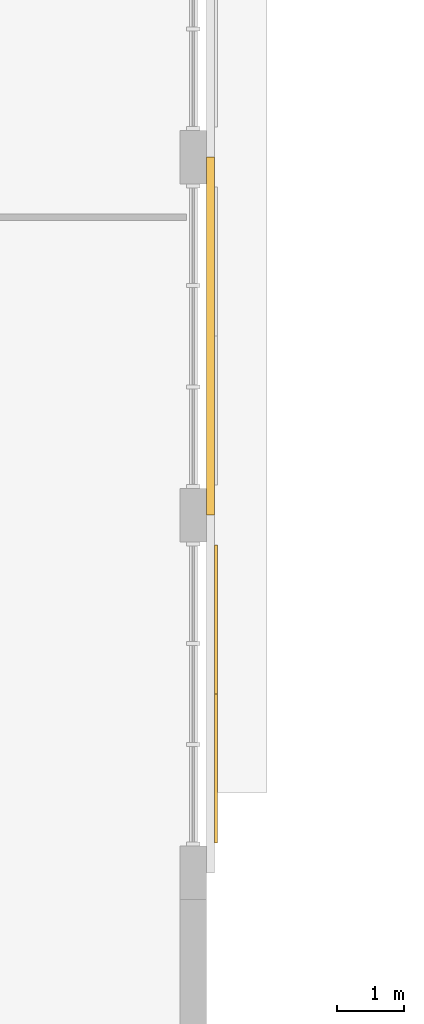
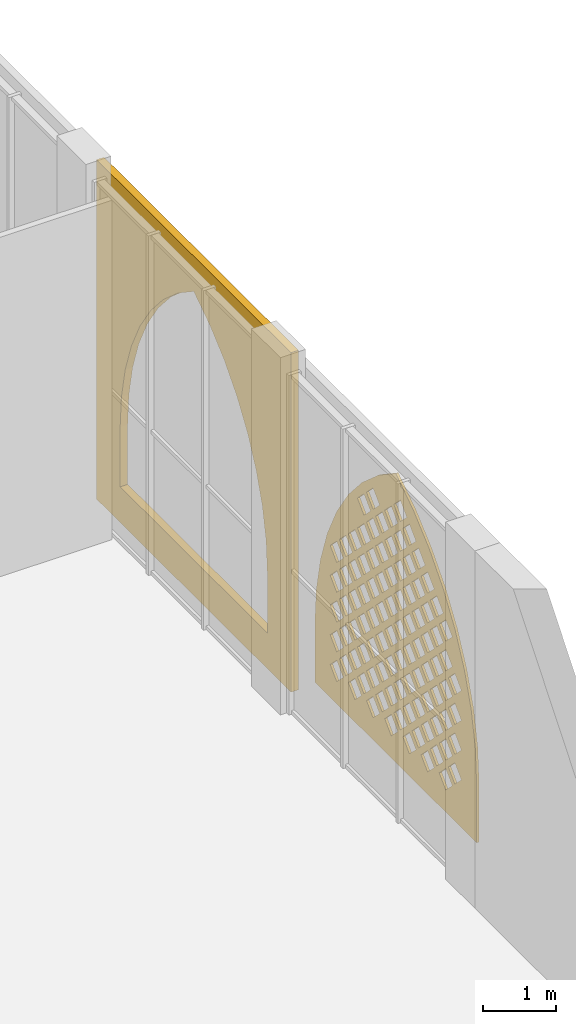
# One storey, part 42 of 74: 2 coverings.
"""IFC4 building model written with IfcOpenShell, lengths in metres."""

from ifc_helpers import new_model, si_unit, direction, frame, origin, place, context, subcontext, project, spatial, polyline, outline, extrude, material, layer, layer_set, type_object, element, save


model = new_model("IFC4")

# Units and contexts
model_context = context("Model", 3, precision=1e-05, world=origin(), true_north=direction((0.0, 1.0)))
body_context = subcontext(model_context, "Body", "Model", "MODEL_VIEW")
ifc_project = project(units=[si_unit("LENGTHUNIT", "METRE"), si_unit("AREAUNIT", "SQUARE_METRE"), si_unit("VOLUMEUNIT", "CUBIC_METRE"), si_unit("PLANEANGLEUNIT", "RADIAN"), si_unit("MASSUNIT", "GRAM", prefix="KILO")], contexts=[model_context])

# Site, building, storey
site_placement = place(None, origin())
site = spatial("IfcSite", under=ifc_project, at=site_placement, CompositionType="ELEMENT")
building_placement = place(site_placement, origin())
building = spatial("IfcBuilding", under=site, at=building_placement, Name="Noorbagh Ring Tower", CompositionType="ELEMENT")
storey_placement = place(building_placement, frame((0.0, 0.0, 7.5)))
storey = spatial("IfcBuildingStorey", under=building, at=storey_placement, Name="L01", CompositionType="ELEMENT", Elevation=7.5)

# Coverings
ifc_material_1 = material(Name="Red sandstone jali", Category="masonry")
ifc_layer_1 = layer(ifc_material_1, 0.0400390625)
ifc_layer_set_1 = layer_set([ifc_layer_1], Name="Red sandstone jali")
covering_type_1 = type_object("IfcCoveringType", Name="STH-JALI", PredefinedType="USERDEFINED", material=ifc_layer_set_1)
covering_1_placement = place(storey_placement, frame((-94.840087890625, 9.449951171875, 0.39990234375), z_axis=(1.0, 0.0, 0.0), x_axis=(0.0, 1.0, 0.0)))
element("IfcCovering", 1, at=covering_1_placement, inside=storey, type_object=covering_type_1, Name="Jali screen", ObjectType="SCREEN", PredefinedType="USERDEFINED", context=body_context, shape_type="SweptSolid", body=[
    extrude(outline(polyline([(0.0, 0.0), (4.449951171875, 0.0), (4.449951171875, 1.0), (4.411865234375, 1.580810546875), (4.29833984375, 2.15185546875), (4.111328125, 2.702880859375), (3.853759765625, 3.22509765625), (3.530517578125, 3.708984375), (3.146728515625, 4.146728515625), (2.708984375, 4.530517578125), (2.22509765625, 4.85400390625), (1.740966796875, 4.530517578125), (1.303466796875, 4.146728515625), (0.919677734375, 3.708984375), (0.59619140625, 3.22509765625), (0.3388671875, 2.702880859375), (0.151611328125, 2.15185546875), (0.0380859375, 1.580810546875), (0.0, 1.0), (0.0, 0.0)]), holes=[polyline([(0.669921875, 0.552001953125), (0.85009765625, 0.371826171875), (1.030029296875, 0.552001953125), (0.85009765625, 0.73193359375), (0.669921875, 0.552001953125)]), polyline([(1.169921875, 0.552001953125), (1.35009765625, 0.371826171875), (1.530029296875, 0.552001953125), (1.35009765625, 0.73193359375), (1.169921875, 0.552001953125)]), polyline([(1.669921875, 0.552001953125), (1.85009765625, 0.371826171875), (2.030029296875, 0.552001953125), (1.85009765625, 0.73193359375), (1.669921875, 0.552001953125)]), polyline([(2.169921875, 0.552001953125), (2.35009765625, 0.371826171875), (2.530029296875, 0.552001953125), (2.35009765625, 0.73193359375), (2.169921875, 0.552001953125)]), polyline([(2.669921875, 0.552001953125), (2.85009765625, 0.371826171875), (3.030029296875, 0.552001953125), (2.85009765625, 0.73193359375), (2.669921875, 0.552001953125)]), polyline([(3.169921875, 0.552001953125), (3.35009765625, 0.371826171875), (3.530029296875, 0.552001953125), (3.35009765625, 0.73193359375), (3.169921875, 0.552001953125)]), polyline([(3.669921875, 0.552001953125), (3.85009765625, 0.371826171875), (4.030029296875, 0.552001953125), (3.85009765625, 0.73193359375), (3.669921875, 0.552001953125)]), polyline([(0.419921875, 0.802001953125), (0.60009765625, 0.621826171875), (0.780029296875, 0.802001953125), (0.60009765625, 0.98193359375), (0.419921875, 0.802001953125)]), polyline([(0.919921875, 0.802001953125), (1.10009765625, 0.621826171875), (1.280029296875, 0.802001953125), (1.10009765625, 0.98193359375), (0.919921875, 0.802001953125)]), polyline([(1.419921875, 0.802001953125), (1.60009765625, 0.621826171875), (1.780029296875, 0.802001953125), (1.60009765625, 0.98193359375), (1.419921875, 0.802001953125)]), polyline([(1.919921875, 0.802001953125), (2.10009765625, 0.621826171875), (2.280029296875, 0.802001953125), (2.10009765625, 0.98193359375), (1.919921875, 0.802001953125)]), polyline([(2.419921875, 0.802001953125), (2.60009765625, 0.621826171875), (2.780029296875, 0.802001953125), (2.60009765625, 0.98193359375), (2.419921875, 0.802001953125)]), polyline([(2.919921875, 0.802001953125), (3.10009765625, 0.621826171875), (3.280029296875, 0.802001953125), (3.10009765625, 0.98193359375), (2.919921875, 0.802001953125)]), polyline([(3.419921875, 0.802001953125), (3.60009765625, 0.621826171875), (3.780029296875, 0.802001953125), (3.60009765625, 0.98193359375), (3.419921875, 0.802001953125)]), polyline([(0.669921875, 1.052001953125), (0.85009765625, 0.871826171875), (1.030029296875, 1.052001953125), (0.85009765625, 1.23193359375), (0.669921875, 1.052001953125)]), polyline([(1.169921875, 1.052001953125), (1.35009765625, 0.871826171875), (1.530029296875, 1.052001953125), (1.35009765625, 1.23193359375), (1.169921875, 1.052001953125)]), polyline([(1.669921875, 1.052001953125), (1.85009765625, 0.871826171875), (2.030029296875, 1.052001953125), (1.85009765625, 1.23193359375), (1.669921875, 1.052001953125)]), polyline([(2.169921875, 1.052001953125), (2.35009765625, 0.871826171875), (2.530029296875, 1.052001953125), (2.35009765625, 1.23193359375), (2.169921875, 1.052001953125)]), polyline([(2.669921875, 1.052001953125), (2.85009765625, 0.871826171875), (3.030029296875, 1.052001953125), (2.85009765625, 1.23193359375), (2.669921875, 1.052001953125)]), polyline([(3.169921875, 1.052001953125), (3.35009765625, 0.871826171875), (3.530029296875, 1.052001953125), (3.35009765625, 1.23193359375), (3.169921875, 1.052001953125)]), polyline([(3.669921875, 1.052001953125), (3.85009765625, 0.871826171875), (4.030029296875, 1.052001953125), (3.85009765625, 1.23193359375), (3.669921875, 1.052001953125)]), polyline([(0.419921875, 1.302001953125), (0.60009765625, 1.121826171875), (0.780029296875, 1.302001953125), (0.60009765625, 1.48193359375), (0.419921875, 1.302001953125)]), polyline([(0.919921875, 1.302001953125), (1.10009765625, 1.121826171875), (1.280029296875, 1.302001953125), (1.10009765625, 1.48193359375), (0.919921875, 1.302001953125)]), polyline([(1.419921875, 1.302001953125), (1.60009765625, 1.121826171875), (1.780029296875, 1.302001953125), (1.60009765625, 1.48193359375), (1.419921875, 1.302001953125)]), polyline([(1.919921875, 1.302001953125), (2.10009765625, 1.121826171875), (2.280029296875, 1.302001953125), (2.10009765625, 1.48193359375), (1.919921875, 1.302001953125)]), polyline([(2.419921875, 1.302001953125), (2.60009765625, 1.121826171875), (2.780029296875, 1.302001953125), (2.60009765625, 1.48193359375), (2.419921875, 1.302001953125)]), polyline([(2.919921875, 1.302001953125), (3.10009765625, 1.121826171875), (3.280029296875, 1.302001953125), (3.10009765625, 1.48193359375), (2.919921875, 1.302001953125)]), polyline([(3.419921875, 1.302001953125), (3.60009765625, 1.121826171875), (3.780029296875, 1.302001953125), (3.60009765625, 1.48193359375), (3.419921875, 1.302001953125)]), polyline([(0.669921875, 1.552001953125), (0.85009765625, 1.371826171875), (1.030029296875, 1.552001953125), (0.85009765625, 1.73193359375), (0.669921875, 1.552001953125)]), polyline([(1.169921875, 1.552001953125), (1.35009765625, 1.371826171875), (1.530029296875, 1.552001953125), (1.35009765625, 1.73193359375), (1.169921875, 1.552001953125)]), polyline([(1.669921875, 1.552001953125), (1.85009765625, 1.371826171875), (2.030029296875, 1.552001953125), (1.85009765625, 1.73193359375), (1.669921875, 1.552001953125)]), polyline([(2.169921875, 1.552001953125), (2.35009765625, 1.371826171875), (2.530029296875, 1.552001953125), (2.35009765625, 1.73193359375), (2.169921875, 1.552001953125)]), polyline([(2.669921875, 1.552001953125), (2.85009765625, 1.371826171875), (3.030029296875, 1.552001953125), (2.85009765625, 1.73193359375), (2.669921875, 1.552001953125)]), polyline([(3.169921875, 1.552001953125), (3.35009765625, 1.371826171875), (3.530029296875, 1.552001953125), (3.35009765625, 1.73193359375), (3.169921875, 1.552001953125)]), polyline([(3.669921875, 1.552001953125), (3.85009765625, 1.371826171875), (4.030029296875, 1.552001953125), (3.85009765625, 1.73193359375), (3.669921875, 1.552001953125)]), polyline([(0.419921875, 1.802001953125), (0.60009765625, 1.621826171875), (0.780029296875, 1.802001953125), (0.60009765625, 1.98193359375), (0.419921875, 1.802001953125)]), polyline([(0.919921875, 1.802001953125), (1.10009765625, 1.621826171875), (1.280029296875, 1.802001953125), (1.10009765625, 1.98193359375), (0.919921875, 1.802001953125)]), polyline([(1.419921875, 1.802001953125), (1.60009765625, 1.621826171875), (1.780029296875, 1.802001953125), (1.60009765625, 1.98193359375), (1.419921875, 1.802001953125)]), polyline([(1.919921875, 1.802001953125), (2.10009765625, 1.621826171875), (2.280029296875, 1.802001953125), (2.10009765625, 1.98193359375), (1.919921875, 1.802001953125)]), polyline([(2.419921875, 1.802001953125), (2.60009765625, 1.621826171875), (2.780029296875, 1.802001953125), (2.60009765625, 1.98193359375), (2.419921875, 1.802001953125)]), polyline([(2.919921875, 1.802001953125), (3.10009765625, 1.621826171875), (3.280029296875, 1.802001953125), (3.10009765625, 1.98193359375), (2.919921875, 1.802001953125)]), polyline([(3.419921875, 1.802001953125), (3.60009765625, 1.621826171875), (3.780029296875, 1.802001953125), (3.60009765625, 1.98193359375), (3.419921875, 1.802001953125)]), polyline([(0.669921875, 2.052001953125), (0.85009765625, 1.871826171875), (1.030029296875, 2.052001953125), (0.85009765625, 2.23193359375), (0.669921875, 2.052001953125)]), polyline([(1.169921875, 2.052001953125), (1.35009765625, 1.871826171875), (1.530029296875, 2.052001953125), (1.35009765625, 2.23193359375), (1.169921875, 2.052001953125)]), polyline([(1.669921875, 2.052001953125), (1.85009765625, 1.871826171875), (2.030029296875, 2.052001953125), (1.85009765625, 2.23193359375), (1.669921875, 2.052001953125)]), polyline([(2.169921875, 2.052001953125), (2.35009765625, 1.871826171875), (2.530029296875, 2.052001953125), (2.35009765625, 2.23193359375), (2.169921875, 2.052001953125)]), polyline([(2.669921875, 2.052001953125), (2.85009765625, 1.871826171875), (3.030029296875, 2.052001953125), (2.85009765625, 2.23193359375), (2.669921875, 2.052001953125)]), polyline([(3.169921875, 2.052001953125), (3.35009765625, 1.871826171875), (3.530029296875, 2.052001953125), (3.35009765625, 2.23193359375), (3.169921875, 2.052001953125)]), polyline([(3.669921875, 2.052001953125), (3.85009765625, 1.871826171875), (4.030029296875, 2.052001953125), (3.85009765625, 2.23193359375), (3.669921875, 2.052001953125)]), polyline([(0.419921875, 2.302001953125), (0.60009765625, 2.121826171875), (0.780029296875, 2.302001953125), (0.60009765625, 2.48193359375), (0.419921875, 2.302001953125)]), polyline([(0.919921875, 2.302001953125), (1.10009765625, 2.121826171875), (1.280029296875, 2.302001953125), (1.10009765625, 2.48193359375), (0.919921875, 2.302001953125)]), polyline([(1.419921875, 2.302001953125), (1.60009765625, 2.121826171875), (1.780029296875, 2.302001953125), (1.60009765625, 2.48193359375), (1.419921875, 2.302001953125)]), polyline([(1.919921875, 2.302001953125), (2.10009765625, 2.121826171875), (2.280029296875, 2.302001953125), (2.10009765625, 2.48193359375), (1.919921875, 2.302001953125)]), polyline([(2.419921875, 2.302001953125), (2.60009765625, 2.121826171875), (2.780029296875, 2.302001953125), (2.60009765625, 2.48193359375), (2.419921875, 2.302001953125)]), polyline([(2.919921875, 2.302001953125), (3.10009765625, 2.121826171875), (3.280029296875, 2.302001953125), (3.10009765625, 2.48193359375), (2.919921875, 2.302001953125)]), polyline([(3.419921875, 2.302001953125), (3.60009765625, 2.121826171875), (3.780029296875, 2.302001953125), (3.60009765625, 2.48193359375), (3.419921875, 2.302001953125)]), polyline([(0.669921875, 2.552001953125), (0.85009765625, 2.371826171875), (1.030029296875, 2.552001953125), (0.85009765625, 2.73193359375), (0.669921875, 2.552001953125)]), polyline([(1.169921875, 2.552001953125), (1.35009765625, 2.371826171875), (1.530029296875, 2.552001953125), (1.35009765625, 2.73193359375), (1.169921875, 2.552001953125)]), polyline([(1.669921875, 2.552001953125), (1.85009765625, 2.371826171875), (2.030029296875, 2.552001953125), (1.85009765625, 2.73193359375), (1.669921875, 2.552001953125)]), polyline([(2.169921875, 2.552001953125), (2.35009765625, 2.371826171875), (2.530029296875, 2.552001953125), (2.35009765625, 2.73193359375), (2.169921875, 2.552001953125)]), polyline([(2.669921875, 2.552001953125), (2.85009765625, 2.371826171875), (3.030029296875, 2.552001953125), (2.85009765625, 2.73193359375), (2.669921875, 2.552001953125)]), polyline([(3.169921875, 2.552001953125), (3.35009765625, 2.371826171875), (3.530029296875, 2.552001953125), (3.35009765625, 2.73193359375), (3.169921875, 2.552001953125)]), polyline([(3.669921875, 2.552001953125), (3.85009765625, 2.371826171875), (4.030029296875, 2.552001953125), (3.85009765625, 2.73193359375), (3.669921875, 2.552001953125)]), polyline([(0.919921875, 2.802001953125), (1.10009765625, 2.621826171875), (1.280029296875, 2.802001953125), (1.10009765625, 2.98193359375), (0.919921875, 2.802001953125)]), polyline([(1.419921875, 2.802001953125), (1.60009765625, 2.621826171875), (1.780029296875, 2.802001953125), (1.60009765625, 2.98193359375), (1.419921875, 2.802001953125)]), polyline([(1.919921875, 2.802001953125), (2.10009765625, 2.621826171875), (2.280029296875, 2.802001953125), (2.10009765625, 2.98193359375), (1.919921875, 2.802001953125)]), polyline([(2.419921875, 2.802001953125), (2.60009765625, 2.621826171875), (2.780029296875, 2.802001953125), (2.60009765625, 2.98193359375), (2.419921875, 2.802001953125)]), polyline([(2.919921875, 2.802001953125), (3.10009765625, 2.621826171875), (3.280029296875, 2.802001953125), (3.10009765625, 2.98193359375), (2.919921875, 2.802001953125)]), polyline([(3.419921875, 2.802001953125), (3.60009765625, 2.621826171875), (3.780029296875, 2.802001953125), (3.60009765625, 2.98193359375), (3.419921875, 2.802001953125)]), polyline([(0.669921875, 3.052001953125), (0.85009765625, 2.871826171875), (1.030029296875, 3.052001953125), (0.85009765625, 3.23193359375), (0.669921875, 3.052001953125)]), polyline([(1.169921875, 3.052001953125), (1.35009765625, 2.871826171875), (1.530029296875, 3.052001953125), (1.35009765625, 3.23193359375), (1.169921875, 3.052001953125)]), polyline([(1.669921875, 3.052001953125), (1.85009765625, 2.871826171875), (2.030029296875, 3.052001953125), (1.85009765625, 3.23193359375), (1.669921875, 3.052001953125)]), polyline([(2.169921875, 3.052001953125), (2.35009765625, 2.871826171875), (2.530029296875, 3.052001953125), (2.35009765625, 3.23193359375), (2.169921875, 3.052001953125)]), polyline([(2.669921875, 3.052001953125), (2.85009765625, 2.871826171875), (3.030029296875, 3.052001953125), (2.85009765625, 3.23193359375), (2.669921875, 3.052001953125)]), polyline([(3.169921875, 3.052001953125), (3.35009765625, 2.871826171875), (3.530029296875, 3.052001953125), (3.35009765625, 3.23193359375), (3.169921875, 3.052001953125)]), polyline([(0.919921875, 3.302001953125), (1.10009765625, 3.121826171875), (1.280029296875, 3.302001953125), (1.10009765625, 3.48193359375), (0.919921875, 3.302001953125)]), polyline([(1.419921875, 3.302001953125), (1.60009765625, 3.121826171875), (1.780029296875, 3.302001953125), (1.60009765625, 3.48193359375), (1.419921875, 3.302001953125)]), polyline([(1.919921875, 3.302001953125), (2.10009765625, 3.121826171875), (2.280029296875, 3.302001953125), (2.10009765625, 3.48193359375), (1.919921875, 3.302001953125)]), polyline([(2.419921875, 3.302001953125), (2.60009765625, 3.121826171875), (2.780029296875, 3.302001953125), (2.60009765625, 3.48193359375), (2.419921875, 3.302001953125)]), polyline([(2.919921875, 3.302001953125), (3.10009765625, 3.121826171875), (3.280029296875, 3.302001953125), (3.10009765625, 3.48193359375), (2.919921875, 3.302001953125)]), polyline([(1.169921875, 3.552001953125), (1.35009765625, 3.371826171875), (1.530029296875, 3.552001953125), (1.35009765625, 3.73193359375), (1.169921875, 3.552001953125)]), polyline([(1.669921875, 3.552001953125), (1.85009765625, 3.371826171875), (2.030029296875, 3.552001953125), (1.85009765625, 3.73193359375), (1.669921875, 3.552001953125)]), polyline([(2.169921875, 3.552001953125), (2.35009765625, 3.371826171875), (2.530029296875, 3.552001953125), (2.35009765625, 3.73193359375), (2.169921875, 3.552001953125)]), polyline([(2.669921875, 3.552001953125), (2.85009765625, 3.371826171875), (3.030029296875, 3.552001953125), (2.85009765625, 3.73193359375), (2.669921875, 3.552001953125)]), polyline([(1.419921875, 3.802001953125), (1.60009765625, 3.621826171875), (1.780029296875, 3.802001953125), (1.60009765625, 3.98193359375), (1.419921875, 3.802001953125)]), polyline([(1.919921875, 3.802001953125), (2.10009765625, 3.621826171875), (2.280029296875, 3.802001953125), (2.10009765625, 3.98193359375), (1.919921875, 3.802001953125)]), polyline([(2.419921875, 3.802001953125), (2.60009765625, 3.621826171875), (2.780029296875, 3.802001953125), (2.60009765625, 3.98193359375), (2.419921875, 3.802001953125)]), polyline([(2.919921875, 3.802001953125), (3.10009765625, 3.621826171875), (3.280029296875, 3.802001953125), (3.10009765625, 3.98193359375), (2.919921875, 3.802001953125)]), polyline([(1.669921875, 4.052001953125), (1.85009765625, 3.871826171875), (2.030029296875, 4.052001953125), (1.85009765625, 4.23193359375), (1.669921875, 4.052001953125)]), polyline([(2.169921875, 4.052001953125), (2.35009765625, 3.871826171875), (2.530029296875, 4.052001953125), (2.35009765625, 4.23193359375), (2.169921875, 4.052001953125)]), polyline([(2.669921875, 4.052001953125), (2.85009765625, 3.871826171875), (3.030029296875, 4.052001953125), (2.85009765625, 4.23193359375), (2.669921875, 4.052001953125)]), polyline([(1.919921875, 4.302001953125), (2.10009765625, 4.121826171875), (2.280029296875, 4.302001953125), (2.10009765625, 4.48193359375), (1.919921875, 4.302001953125)])]), origin(), (0.0, 0.0, -1.0), 0.0400390625),
])
ifc_material_2 = material(Name="Red sandstone cladding", Category="masonry")
ifc_layer_2 = layer(ifc_material_2, 0.1201171875)
ifc_layer_set_2 = layer_set([ifc_layer_2], Name="Red sandstone cladding")
covering_type_2 = type_object("IfcCoveringType", Name="STH-SPANDREL", PredefinedType="USERDEFINED", material=ifc_layer_set_2)
covering_2_placement = place(storey_placement, frame((-94.8798828125, 14.35009765625, 0.0), z_axis=(1.0, 0.0, 0.0), x_axis=(0.0, 1.0, 0.0)))
element("IfcCovering", 2, at=covering_2_placement, inside=storey, type_object=covering_type_2, Name="Arch spandrel", ObjectType="ARCH", PredefinedType="USERDEFINED", context=body_context, shape_type="SweptSolid", body=[
    extrude(outline(polyline([(0.0, 0.0), (5.349853515625, 0.0), (5.349853515625, 5.699951171875), (0.0, 5.699951171875), (0.0, 0.0)]), holes=[polyline([(0.64990234375, 0.60009765625), (0.64990234375, 1.60009765625), (0.6845703125, 2.128662109375), (0.7880859375, 2.648193359375), (0.958251953125, 3.14990234375), (1.192626953125, 3.625), (1.48681640625, 4.0654296875), (1.836181640625, 4.4638671875), (2.234619140625, 4.81298828125), (2.675048828125, 5.107421875), (3.115478515625, 4.81298828125), (3.513916015625, 4.4638671875), (3.863037109375, 4.0654296875), (4.157470703125, 3.625), (4.3916015625, 3.14990234375), (4.56201171875, 2.648193359375), (4.665283203125, 2.128662109375), (4.699951171875, 1.60009765625), (4.699951171875, 0.60009765625), (0.64990234375, 0.60009765625)])]), origin(), (0.0, 0.0, -1.0), 0.1201171875),
])

save(model, "model.ifc")
